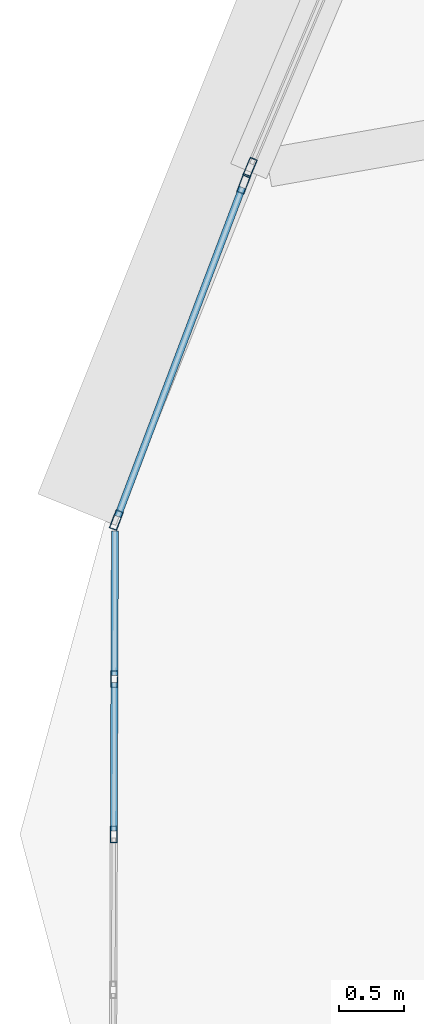
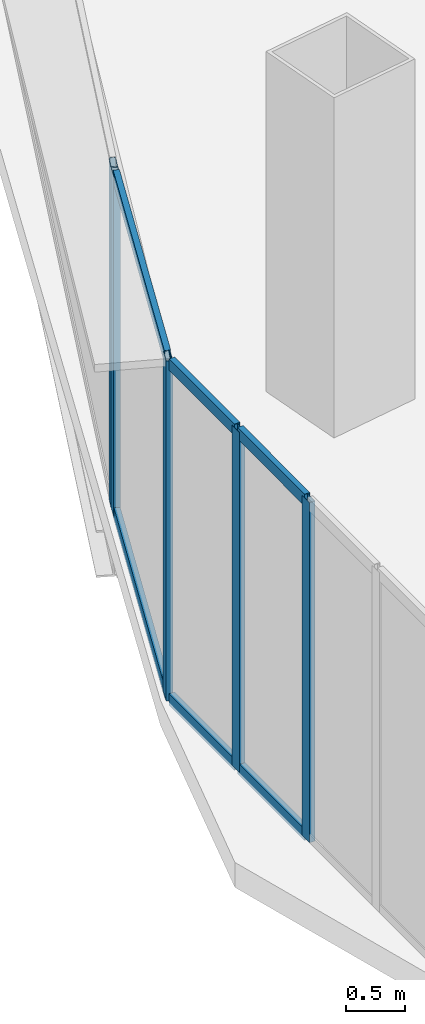
# One storey, part 4 of 40: 11 members, 3 elements without a shape of their own.
"""IFC4 building model written with IfcOpenShell, lengths in metres."""

import ifcopenshell
import ifcopenshell.guid

model = None  # the IFC model being written
_history = None  # IfcOwnerHistory: only IFC2X3 demands one
_inside = {}  # id of a spatial element -> (the spatial element, [elements in it])
_under = {}  # id of a project, library or spatial element -> (it, [spatial elements below it])
_declared = {}  # id of a project -> (the project, [libraries it declares])
_typed = {}  # id of a type object -> (the type object, [elements of that type])
_made_of = {}  # id of a material, layer set ... -> (it, [elements and type objects made of it])


def new_model(schema):
    """Start an empty IFC model of exactly this schema.

    Asked for "IFC4X3", IfcOpenShell would pick the latest addendum, in which some entities
    have other attributes; the version numbers below select the first issue.
    IFC2X3 requires an IfcOwnerHistory on every rooted entity: one is made here for all.
    """
    global model, _history
    if schema == "IFC4X3":
        model = ifcopenshell.file(schema_version=(4, 3, 0, 0))
    else:
        model = ifcopenshell.file(schema=schema)
    _inside.clear()
    _under.clear()
    _declared.clear()
    _typed.clear()
    _made_of.clear()
    _history = None
    if model.schema == "IFC2X3":
        org = make("IfcOrganization", Name="unknown")
        user = make(
            "IfcPersonAndOrganization",
            ThePerson=make("IfcPerson", FamilyName="unknown"),
            TheOrganization=org,
        )
        app = make(
            "IfcApplication",
            ApplicationDeveloper=org,
            Version="unknown",
            ApplicationFullName="unknown",
            ApplicationIdentifier="unknown",
        )
        _history = make(
            "IfcOwnerHistory",
            OwningUser=user,
            OwningApplication=app,
            ChangeAction="ADDED",
            CreationDate=0,
        )
    return model


def make(cls, **values):
    """One entity of the class cls with the attributes given. An attribute that is None is left unset."""
    return model.create_entity(
        cls, **{name: value for name, value in values.items() if value is not None}
    )


def rooted(cls, **values):
    """An entity with a GlobalId (a new one), such as an element, a storey or a relation."""
    return make(cls, GlobalId=ifcopenshell.guid.new(), OwnerHistory=_history, **values)


def si_unit(unit_type, name, prefix=None):
    """IfcSIUnit, for example si_unit("LENGTHUNIT", "METRE", prefix="MILLI")."""
    return make("IfcSIUnit", UnitType=unit_type, Prefix=prefix, Name=name)


def assignment(units):
    """IfcUnitAssignment: the units of a project."""
    return None if units is None else make("IfcUnitAssignment", Units=units)


def point(xyz):
    """IfcCartesianPoint."""
    return None if xyz is None else make("IfcCartesianPoint", Coordinates=xyz)


def direction(xyz):
    """IfcDirection."""
    return None if xyz is None else make("IfcDirection", DirectionRatios=xyz)


def frame(location, z_axis=None, x_axis=None):
    """IfcAxis2Placement3D, a coordinate frame: its origin and axes. An axis left out is left unset."""
    return make(
        "IfcAxis2Placement3D",
        Location=point(location),
        Axis=direction(z_axis),
        RefDirection=direction(x_axis),
    )


def frame_2d(location, x_axis=None):
    """IfcAxis2Placement2D, a coordinate frame in the plane: its origin and x axis."""
    return make(
        "IfcAxis2Placement2D", Location=point(location), RefDirection=direction(x_axis)
    )


def origin():
    """The frame at (0, 0, 0) with its axes left unset."""
    return frame((0.0, 0.0, 0.0))


def origin_2d():
    """The frame at (0, 0) in the plane with its x axis left unset."""
    return frame_2d((0.0, 0.0))


def place(relative_to, where):
    """IfcLocalPlacement: puts the frame where relative to a parent placement (None: the world)."""
    return make(
        "IfcLocalPlacement", PlacementRelTo=relative_to, RelativePlacement=where
    )


def context(
    kind, dimensions, precision=None, world=None, true_north=None, identifier=None
):
    """IfcGeometricRepresentationContext, for example the 3D "Model" context."""
    return make(
        "IfcGeometricRepresentationContext",
        ContextIdentifier=identifier,
        ContextType=kind,
        CoordinateSpaceDimension=dimensions,
        Precision=precision,
        WorldCoordinateSystem=world,
        TrueNorth=true_north,
    )


def subcontext(parent, identifier, kind, view, scale=None):
    """IfcGeometricRepresentationSubContext, for example "Body" below "Model"."""
    return make(
        "IfcGeometricRepresentationSubContext",
        ContextIdentifier=identifier,
        ContextType=kind,
        ParentContext=parent,
        TargetScale=scale,
        TargetView=view,
    )


def project(units=None, contexts=None):
    """IfcProject with its units and contexts."""
    return rooted(
        "IfcProject",
        Name="project",
        RepresentationContexts=contexts,
        UnitsInContext=assignment(units),
    )


def spatial(cls, under=None, at=None, **own):
    """A site, building, storey or space (cls), placed at a placement, below another one or the project."""
    s = rooted(cls, ObjectPlacement=at, **own)
    if under is not None:
        _under.setdefault(under.id(), (under, []))[1].append(s)
    return s


def profile(cls, at=None, kind="AREA", **sizes):
    """A parametric profile (cls). Its sizes go by their IFC names, for example OverallWidth=200.0."""
    return make(cls, ProfileType=kind, Position=at, **sizes)


def hollow_rectangle(**sizes):
    """IfcRectangleHollowProfileDef."""
    return profile("IfcRectangleHollowProfileDef", **sizes)


def extrude(swept, where, along, depth):
    """IfcExtrudedAreaSolid: the profile swept, set in the frame where, extruded along a direction by depth."""
    return make(
        "IfcExtrudedAreaSolid",
        SweptArea=swept,
        Position=where,
        ExtrudedDirection=direction(along),
        Depth=depth,
    )


def shape(context_of_items, identifier, shape_type, items):
    """IfcShapeRepresentation: the items that make up one representation, for example the "Body"."""
    return make(
        "IfcShapeRepresentation",
        ContextOfItems=context_of_items,
        RepresentationIdentifier=identifier,
        RepresentationType=shape_type,
        Items=items,
    )


def source(mapping_origin, context_of_items, identifier, shape_type, items):
    """IfcRepresentationMap: a shape defined once, which mapped items show again and again."""
    return make(
        "IfcRepresentationMap",
        MappingOrigin=mapping_origin,
        MappedRepresentation=shape(context_of_items, identifier, shape_type, items),
    )


def transform(
    local_origin,
    x_axis=None,
    y_axis=None,
    z_axis=None,
    scale=None,
    scale2=None,
    scale3=None,
    uniform=True,
):
    """IfcCartesianTransformationOperator3D, or its non-uniform kind. x_axis, y_axis, z_axis: its Axis1, 2, 3."""
    if uniform:
        return make(
            "IfcCartesianTransformationOperator3D",
            Axis1=direction(x_axis),
            Axis2=direction(y_axis),
            LocalOrigin=point(local_origin),
            Scale=scale,
            Axis3=direction(z_axis),
        )
    return make(
        "IfcCartesianTransformationOperator3DnonUniform",
        Axis1=direction(x_axis),
        Axis2=direction(y_axis),
        LocalOrigin=point(local_origin),
        Scale=scale,
        Axis3=direction(z_axis),
        Scale2=scale2,
        Scale3=scale3,
    )


def mapped(mapping_source, mapping_target):
    """IfcMappedItem: shows the shape of a source again, moved by a transform."""
    return make(
        "IfcMappedItem", MappingSource=mapping_source, MappingTarget=mapping_target
    )


def material(Name=None, Category=None):
    """IfcMaterial."""
    return make("IfcMaterial", Name=Name, Category=Category)


def layer(
    of_material, thickness, ventilated=None, Name=None, Category=None, Priority=None
):
    """IfcMaterialLayer: one layer of a wall or slab, of a material (None: an air gap)."""
    return make(
        "IfcMaterialLayer",
        Material=of_material,
        LayerThickness=thickness,
        IsVentilated=ventilated,
        Name=Name,
        Category=Category,
        Priority=Priority,
    )


def layer_set(layers, Name=None):
    """IfcMaterialLayerSet."""
    return make("IfcMaterialLayerSet", MaterialLayers=layers, LayerSetName=Name)


def material_profile(
    of_material, cross_section, Name=None, Category=None, Priority=None
):
    """IfcMaterialProfile: a cross section and its material."""
    return make(
        "IfcMaterialProfile",
        Name=Name,
        Material=of_material,
        Profile=cross_section,
        Priority=Priority,
        Category=Category,
    )


def profile_set(profiles, Name=None, composite=None):
    """IfcMaterialProfileSet."""
    return make(
        "IfcMaterialProfileSet",
        Name=Name,
        MaterialProfiles=profiles,
        CompositeProfile=composite,
    )


def made_of(thing, what):
    """Note that an element or type object is made of a material, layer set ...; save() writes the relation."""
    if what is not None:
        _made_of.setdefault(what.id(), (what, []))[1].append(thing)
    return thing


def type_object(cls, material=None, **own):
    """A type object (cls), such as IfcWallType, which elements share."""
    return made_of(rooted(cls, **own), material)


def element(
    cls,
    number,
    at=None,
    inside=None,
    cuts=None,
    type_object=None,
    material=None,
    context=None,
    identifier="Body",
    shape_type=None,
    held_by="IfcProductDefinitionShape",
    body=None,
    shapes=None,
    **own,
):
    """One element of the class cls, such as IfcWall. Its Tag is "e" and its number.

    at: its placement. inside: the storey or other place that contains it. cuts: it is an
    opening in that element (IfcRelVoidsElement). A single representation is given by context,
    identifier, shape_type and body (its items); several are given by shapes. held_by: the class
    of the entity that holds the representations. save() writes the other relations.
    """
    e = rooted(cls, Tag="e%d" % number, ObjectPlacement=at, **own)
    if body is not None:
        shapes = [shape(context, identifier, shape_type, body)]
    if shapes is not None:
        e.Representation = make(held_by, Representations=shapes)
    if inside is not None:
        _inside.setdefault(inside.id(), (inside, []))[1].append(e)
    if cuts is not None:
        rooted(
            "IfcRelVoidsElement", RelatingBuildingElement=cuts, RelatedOpeningElement=e
        )
    if type_object is not None:
        _typed.setdefault(type_object.id(), (type_object, []))[1].append(e)
    return made_of(e, material)


def aggregate(whole, parts):
    """IfcRelAggregates: a whole, such as a stair, and the parts it consists of."""
    return rooted("IfcRelAggregates", RelatingObject=whole, RelatedObjects=parts)


def save(model, path):
    """Write the relations noted so far, then the file.

    IfcRelAggregates (storeys below a building ...), IfcRelContainedInSpatialStructure (elements
    in a storey), IfcRelDefinesByType, IfcRelAssociatesMaterial and IfcRelDeclares: one each for
    every whole, place, type object, material and project.
    """
    for whole, parts in _under.values():
        aggregate(whole, parts)
    for where, things in _inside.values():
        rooted(
            "IfcRelContainedInSpatialStructure",
            RelatedElements=things,
            RelatingStructure=where,
        )
    for kind, things in _typed.values():
        rooted("IfcRelDefinesByType", RelatedObjects=things, RelatingType=kind)
    for what, things in _made_of.values():
        rooted("IfcRelAssociatesMaterial", RelatedObjects=things, RelatingMaterial=what)
    for by, libraries in _declared.values():
        rooted("IfcRelDeclares", RelatingContext=by, RelatedDefinitions=libraries)
    model.write(path)


model = new_model("IFC4")

# Units and contexts
model_context = context("Model", 3, precision=1e-05, world=origin(), true_north=direction((0.0, 1.0)))
body_context = subcontext(model_context, "Body", "Model", "MODEL_VIEW")
ifc_project = project(units=[si_unit("LENGTHUNIT", "METRE"), si_unit("AREAUNIT", "SQUARE_METRE"), si_unit("VOLUMEUNIT", "CUBIC_METRE"), si_unit("PLANEANGLEUNIT", "RADIAN"), si_unit("MASSUNIT", "GRAM", prefix="KILO"), si_unit("THERMODYNAMICTEMPERATUREUNIT", "KELVIN"), si_unit("POWERUNIT", "WATT")], contexts=[model_context])

# Site, building, storey
site_placement = place(None, origin())
site = spatial("IfcSite", under=ifc_project, at=site_placement, CompositionType="ELEMENT")
building_placement = place(site_placement, origin())
building = spatial("IfcBuilding", under=site, at=building_placement, Name="Yunzhuo Pagoda Commons", CompositionType="ELEMENT")
storey_placement = place(building_placement, frame((0.0, 0.0, 184.760009765625)))
storey = spatial("IfcBuildingStorey", under=building, at=storey_placement, Name="L46", CompositionType="ELEMENT", Elevation=184.760009765625)

# Curtain wall, members
ifc_material = material(Name="Anodized aluminium 6063-T6", Category="aluminium")
ifc_layer_1 = layer(ifc_material, 0.1298828125)
ifc_layer_set_1 = layer_set([ifc_layer_1], Name="Anodized aluminium 6063-T6")
curtain_wall_type_1 = type_object("IfcCurtainWallType", Name="CW-VTX Rounded Corner Curtain Wall", PredefinedType="NOTDEFINED", material=ifc_layer_set_1)
curtain_wall_1_placement = place(storey_placement, origin())
curtain_wall_1 = element("IfcCurtainWall", 1, at=curtain_wall_1_placement, inside=storey, type_object=curtain_wall_type_1, Name="L46 curtain wall CW-L46-VTX1S1", PredefinedType="NOTDEFINED")
ifc_material_profile_1 = material_profile(ifc_material, hollow_rectangle(XDim=0.054931640625, YDim=0.1298828125, WallThickness=0.00341796875, at=origin_2d()), Name="Anodized aluminium 6063-T6")
ifc_profile_set_1 = profile_set([ifc_material_profile_1], Name="Anodized aluminium 6063-T6")
member_type_1 = type_object("IfcMemberType", Name="CW-VTX-M Mullion RHS 130x55x3.5", PredefinedType="MULLION", material=ifc_profile_set_1)
shared_shape_1 = source(origin(), body_context, "Body", "SweptSolid", [
    extrude(hollow_rectangle(XDim=0.054931640625, YDim=0.1298828125, WallThickness=0.00341796875, at=origin_2d()), origin(), (0.0, 0.0, 1.0), 3.5400390625),
])
member_1_placement = place(storey_placement, frame((9.27099609375, 23.1279296875, 0.0), z_axis=(0.0, 0.0, 1.0), x_axis=(0.99999359061, -0.003580326762, 0.0)))
member_1 = element("IfcMember", 2, at=member_1_placement, type_object=member_type_1, Name="CW mullion 2", PredefinedType="MULLION", context=body_context, shape_type="MappedRepresentation", body=[
    mapped(shared_shape_1, transform((0.0, 0.0, 0.0), scale=1.0)),
])
member_2_placement = place(storey_placement, frame((9.266845703125, 21.927001953125, 0.0), z_axis=(0.0, 0.0, 1.0), x_axis=(0.99999359061, -0.003580326762, 0.0)))
member_2 = element("IfcMember", 3, at=member_2_placement, type_object=member_type_1, Name="CW mullion 3", PredefinedType="MULLION", context=body_context, shape_type="MappedRepresentation", body=[
    mapped(shared_shape_1, transform((0.0, 0.0, 0.0), scale=1.0)),
])

# Curtain wall, member
ifc_layer_2 = layer(ifc_material, 0.14990234375)
ifc_layer_set_2 = layer_set([ifc_layer_2], Name="Anodized aluminium 6063-T6")
curtain_wall_type_2 = type_object("IfcCurtainWallType", Name="CW-MID Mid-Zone Ribbon Curtain Wall", PredefinedType="NOTDEFINED", material=ifc_layer_set_2)
curtain_wall_2_placement = place(storey_placement, origin())
curtain_wall_2 = element("IfcCurtainWall", 4, at=curtain_wall_2_placement, inside=storey, type_object=curtain_wall_type_2, Name="L46 curtain wall CW-L46-F3B4", PredefinedType="NOTDEFINED")
ifc_material_profile_2 = material_profile(ifc_material, hollow_rectangle(XDim=0.06005859375, YDim=0.14990234375, WallThickness=0.00390625, at=origin_2d()), Name="Anodized aluminium 6063-T6")
ifc_profile_set_2 = profile_set([ifc_material_profile_2], Name="Anodized aluminium 6063-T6")
member_type_2 = type_object("IfcMemberType", Name="CW-MID-M Mullion RHS 150x60x4", PredefinedType="MULLION", material=ifc_profile_set_2)
shared_shape_2 = source(origin(), body_context, "Body", "SweptSolid", [
    extrude(hollow_rectangle(XDim=0.06005859375, YDim=0.14990234375, WallThickness=0.00390625, at=origin_2d()), origin(), (0.0, 0.0, 1.0), 3.5400390625),
])
member_3_placement = place(storey_placement, frame((10.3193359375, 27.081298828125, 0.0), z_axis=(0.0, 0.0, 1.0), x_axis=(0.920515325194, -0.390706457693, 0.0)))
member_3 = element("IfcMember", 5, at=member_3_placement, type_object=member_type_2, Name="CW mullion 2", PredefinedType="MULLION", context=body_context, shape_type="MappedRepresentation", body=[
    mapped(shared_shape_2, transform((0.0, 0.0, 0.0), scale=1.0)),
])
aggregate(curtain_wall_2, [member_3])

# Curtain wall, members
curtain_wall_3_placement = place(storey_placement, origin())
curtain_wall_3 = element("IfcCurtainWall", 6, at=curtain_wall_3_placement, inside=storey, type_object=curtain_wall_type_2, Name="L46 curtain wall CW-L46-F3B5", PredefinedType="NOTDEFINED")
member_4_placement = place(storey_placement, frame((10.2705078125, 26.95556640625, 0.0), z_axis=(0.0, 0.0, 1.0), x_axis=(0.935148483493, -0.354256000401, 0.0)))
member_4 = element("IfcMember", 7, at=member_4_placement, type_object=member_type_2, Name="CW mullion 1", PredefinedType="MULLION", context=body_context, shape_type="MappedRepresentation", body=[
    mapped(shared_shape_2, transform((0.0, 0.0, 0.0), scale=1.0)),
])
member_5_placement = place(storey_placement, frame((9.2861328125, 24.35693359375, 0.0), z_axis=(0.0, 0.0, 1.0), x_axis=(0.935148483493, -0.354256000401, 0.0)))
member_5 = element("IfcMember", 8, at=member_5_placement, type_object=member_type_2, Name="CW mullion 2", PredefinedType="MULLION", context=body_context, shape_type="MappedRepresentation", body=[
    mapped(shared_shape_2, transform((0.0, 0.0, 0.0), scale=1.0)),
])
ifc_material_profile_3 = material_profile(ifc_material, hollow_rectangle(XDim=0.054931640625, YDim=0.1298828125, WallThickness=0.00341796875, at=origin_2d()), Name="Anodized aluminium 6063-T6")
ifc_profile_set_3 = profile_set([ifc_material_profile_3], Name="Anodized aluminium 6063-T6")
member_type_3 = type_object("IfcMemberType", Name="CW-MID-T Transom RHS 130x55x3.5", PredefinedType="USERDEFINED", material=ifc_profile_set_3)
shared_shape_3 = source(origin(), body_context, "Body", "SweptSolid", [
    extrude(hollow_rectangle(XDim=0.054931640625, YDim=0.1298828125, WallThickness=0.00341796875, at=origin_2d()), origin(), (0.0, 0.0, 1.0), 2.71875),
])
member_6_placement = place(storey_placement, frame((10.259765625, 26.927490234375, 0.027587890625), z_axis=(-0.354250859445, -0.935150430991, 0.0), x_axis=(0.935150430991, -0.354250859445, 0.0)))
member_6 = element("IfcMember", 9, at=member_6_placement, type_object=member_type_3, Name="CW transom 1.1", ObjectType="TRANSOM", PredefinedType="USERDEFINED", context=body_context, shape_type="MappedRepresentation", body=[
    mapped(shared_shape_3, transform((0.0, 0.0, 0.0), scale=1.0)),
])
member_7_placement = place(storey_placement, frame((10.259765625, 26.927490234375, 3.512451171875), z_axis=(-0.354250859445, -0.935150430991, 0.0), x_axis=(0.935150430991, -0.354250859445, 0.0)))
member_7 = element("IfcMember", 10, at=member_7_placement, type_object=member_type_3, Name="CW transom 1.2", ObjectType="TRANSOM", PredefinedType="USERDEFINED", context=body_context, shape_type="MappedRepresentation", body=[
    mapped(shared_shape_3, transform((0.0, 0.0, 0.0), scale=1.0)),
])
aggregate(curtain_wall_3, [member_4, member_5, member_6, member_7])

# Member
ifc_material_profile_4 = material_profile(ifc_material, hollow_rectangle(XDim=0.054931640625, YDim=0.1201171875, WallThickness=0.00341796875, at=origin_2d()), Name="Anodized aluminium 6063-T6")
ifc_profile_set_4 = profile_set([ifc_material_profile_4], Name="Anodized aluminium 6063-T6")
member_type_4 = type_object("IfcMemberType", Name="CW-VTX-T Transom RHS 120x55x3.5", PredefinedType="USERDEFINED", material=ifc_profile_set_4)
shared_shape_4 = source(origin(), body_context, "Body", "SweptSolid", [
    extrude(hollow_rectangle(XDim=0.054931640625, YDim=0.1201171875, WallThickness=0.00341796875, at=origin_2d()), origin(), (0.0, 0.0, 1.0), 1.118408203125),
])
member_8_placement = place(storey_placement, frame((9.275390625, 24.27392578125, 0.027587890625), z_axis=(-0.003710954583, -0.999993114384, 0.0), x_axis=(0.999993114384, -0.003710954583, 0.0)))
member_8 = element("IfcMember", 11, at=member_8_placement, type_object=member_type_4, Name="CW transom 1.1", ObjectType="TRANSOM", PredefinedType="USERDEFINED", context=body_context, shape_type="MappedRepresentation", body=[
    mapped(shared_shape_4, transform((0.0, 0.0, 0.0), scale=1.0)),
])

member_9_placement = place(storey_placement, frame((9.275390625, 24.27392578125, 3.512451171875), z_axis=(-0.003710954583, -0.999993114384, 0.0), x_axis=(0.999993114384, -0.003710954583, 0.0)))
member_9 = element("IfcMember", 12, at=member_9_placement, type_object=member_type_4, Name="CW transom 1.2", ObjectType="TRANSOM", PredefinedType="USERDEFINED", context=body_context, shape_type="MappedRepresentation", body=[
    mapped(shared_shape_4, transform((0.0, 0.0, 0.0), scale=1.0)),
])

shared_shape_5 = source(origin(), body_context, "Body", "SweptSolid", [
    extrude(hollow_rectangle(XDim=0.054931640625, YDim=0.1201171875, WallThickness=0.00341796875, at=origin_2d()), origin(), (0.0, 0.0, 1.0), 1.14599609375),
])
member_10_placement = place(storey_placement, frame((9.27099609375, 23.100341796875, 0.027587890625), z_axis=(-0.003621620902, -0.99999344191, 0.0), x_axis=(0.99999344191, -0.003621620902, 0.0)))
member_10 = element("IfcMember", 13, at=member_10_placement, type_object=member_type_4, Name="CW transom 2.1", ObjectType="TRANSOM", PredefinedType="USERDEFINED", context=body_context, shape_type="MappedRepresentation", body=[
    mapped(shared_shape_5, transform((0.0, 0.0, 0.0), scale=1.0)),
])

member_11_placement = place(storey_placement, frame((9.27099609375, 23.100341796875, 3.512451171875), z_axis=(-0.003621620902, -0.99999344191, 0.0), x_axis=(0.99999344191, -0.003621620902, 0.0)))
member_11 = element("IfcMember", 14, at=member_11_placement, type_object=member_type_4, Name="CW transom 2.2", ObjectType="TRANSOM", PredefinedType="USERDEFINED", context=body_context, shape_type="MappedRepresentation", body=[
    mapped(shared_shape_5, transform((0.0, 0.0, 0.0), scale=1.0)),
])

aggregate(curtain_wall_1, [member_1, member_2, member_8, member_9, member_10, member_11])

save(model, "model.ifc")
